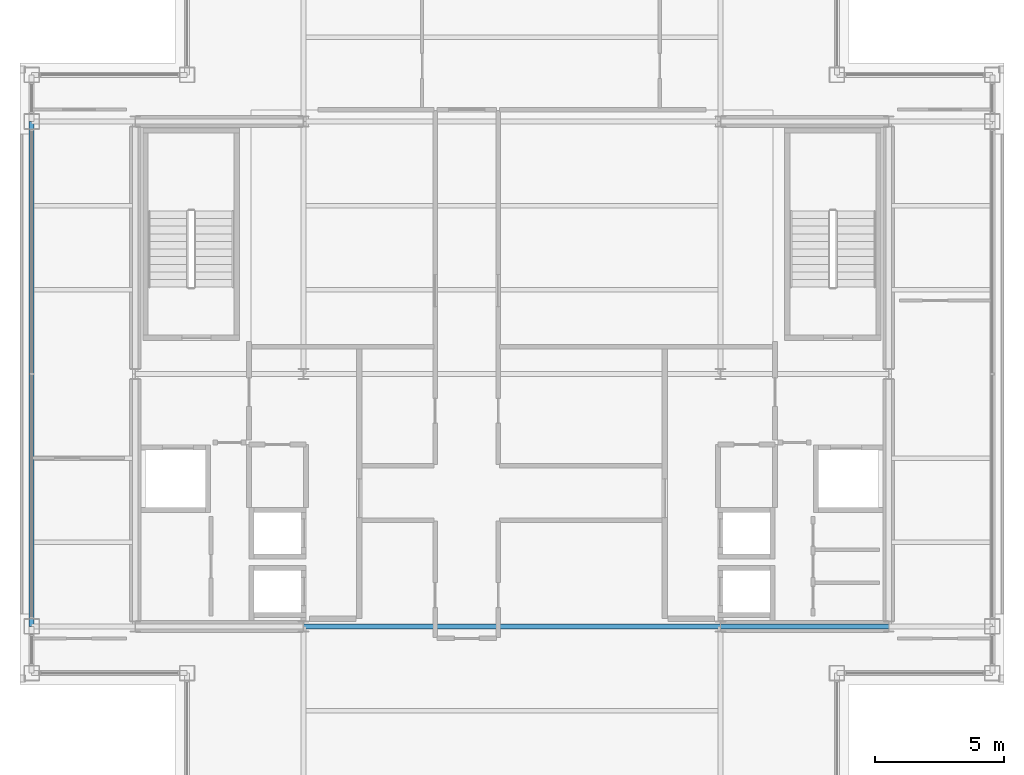
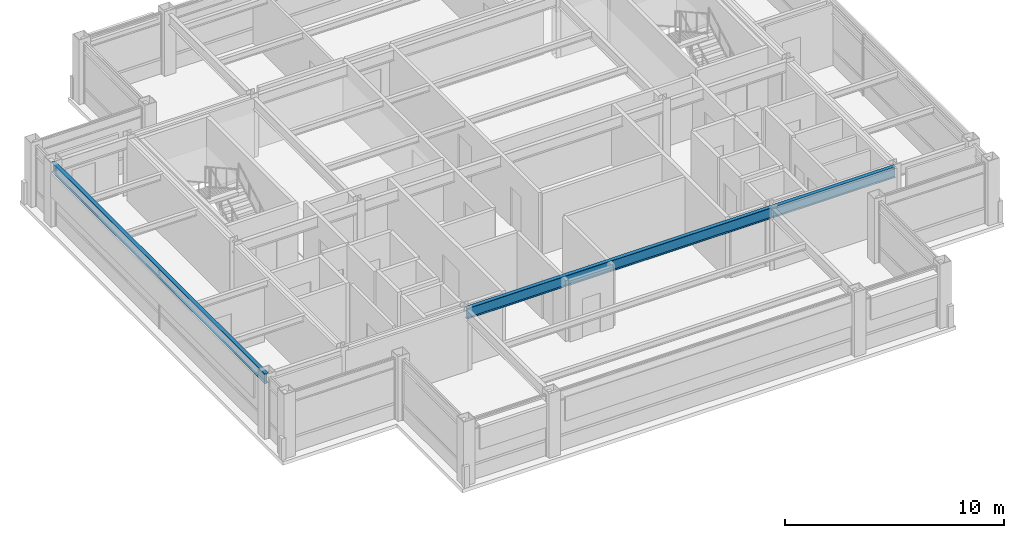
# One storey, part 5 of 22: 3 beams.
"""IFC4 building model written with IfcOpenShell, lengths in metres."""

import ifcopenshell
import ifcopenshell.guid

model = None  # the IFC model being written
_history = None  # IfcOwnerHistory: only IFC2X3 demands one
_inside = {}  # id of a spatial element -> (the spatial element, [elements in it])
_under = {}  # id of a project, library or spatial element -> (it, [spatial elements below it])
_declared = {}  # id of a project -> (the project, [libraries it declares])
_typed = {}  # id of a type object -> (the type object, [elements of that type])
_made_of = {}  # id of a material, layer set ... -> (it, [elements and type objects made of it])


def new_model(schema):
    """Start an empty IFC model of exactly this schema.

    Asked for "IFC4X3", IfcOpenShell would pick the latest addendum, in which some entities
    have other attributes; the version numbers below select the first issue.
    IFC2X3 requires an IfcOwnerHistory on every rooted entity: one is made here for all.
    """
    global model, _history
    if schema == "IFC4X3":
        model = ifcopenshell.file(schema_version=(4, 3, 0, 0))
    else:
        model = ifcopenshell.file(schema=schema)
    _inside.clear()
    _under.clear()
    _declared.clear()
    _typed.clear()
    _made_of.clear()
    _history = None
    if model.schema == "IFC2X3":
        org = make("IfcOrganization", Name="unknown")
        user = make(
            "IfcPersonAndOrganization",
            ThePerson=make("IfcPerson", FamilyName="unknown"),
            TheOrganization=org,
        )
        app = make(
            "IfcApplication",
            ApplicationDeveloper=org,
            Version="unknown",
            ApplicationFullName="unknown",
            ApplicationIdentifier="unknown",
        )
        _history = make(
            "IfcOwnerHistory",
            OwningUser=user,
            OwningApplication=app,
            ChangeAction="ADDED",
            CreationDate=0,
        )
    return model


def make(cls, **values):
    """One entity of the class cls with the attributes given. An attribute that is None is left unset."""
    return model.create_entity(
        cls, **{name: value for name, value in values.items() if value is not None}
    )


def rooted(cls, **values):
    """An entity with a GlobalId (a new one), such as an element, a storey or a relation."""
    return make(cls, GlobalId=ifcopenshell.guid.new(), OwnerHistory=_history, **values)


def si_unit(unit_type, name, prefix=None):
    """IfcSIUnit, for example si_unit("LENGTHUNIT", "METRE", prefix="MILLI")."""
    return make("IfcSIUnit", UnitType=unit_type, Prefix=prefix, Name=name)


def assignment(units):
    """IfcUnitAssignment: the units of a project."""
    return None if units is None else make("IfcUnitAssignment", Units=units)


def point(xyz):
    """IfcCartesianPoint."""
    return None if xyz is None else make("IfcCartesianPoint", Coordinates=xyz)


def direction(xyz):
    """IfcDirection."""
    return None if xyz is None else make("IfcDirection", DirectionRatios=xyz)


def frame(location, z_axis=None, x_axis=None):
    """IfcAxis2Placement3D, a coordinate frame: its origin and axes. An axis left out is left unset."""
    return make(
        "IfcAxis2Placement3D",
        Location=point(location),
        Axis=direction(z_axis),
        RefDirection=direction(x_axis),
    )


def frame_2d(location, x_axis=None):
    """IfcAxis2Placement2D, a coordinate frame in the plane: its origin and x axis."""
    return make(
        "IfcAxis2Placement2D", Location=point(location), RefDirection=direction(x_axis)
    )


def origin():
    """The frame at (0, 0, 0) with its axes left unset."""
    return frame((0.0, 0.0, 0.0))


def origin_2d():
    """The frame at (0, 0) in the plane with its x axis left unset."""
    return frame_2d((0.0, 0.0))


def place(relative_to, where):
    """IfcLocalPlacement: puts the frame where relative to a parent placement (None: the world)."""
    return make(
        "IfcLocalPlacement", PlacementRelTo=relative_to, RelativePlacement=where
    )


def context(
    kind, dimensions, precision=None, world=None, true_north=None, identifier=None
):
    """IfcGeometricRepresentationContext, for example the 3D "Model" context."""
    return make(
        "IfcGeometricRepresentationContext",
        ContextIdentifier=identifier,
        ContextType=kind,
        CoordinateSpaceDimension=dimensions,
        Precision=precision,
        WorldCoordinateSystem=world,
        TrueNorth=true_north,
    )


def subcontext(parent, identifier, kind, view, scale=None):
    """IfcGeometricRepresentationSubContext, for example "Body" below "Model"."""
    return make(
        "IfcGeometricRepresentationSubContext",
        ContextIdentifier=identifier,
        ContextType=kind,
        ParentContext=parent,
        TargetScale=scale,
        TargetView=view,
    )


def project(units=None, contexts=None):
    """IfcProject with its units and contexts."""
    return rooted(
        "IfcProject",
        Name="project",
        RepresentationContexts=contexts,
        UnitsInContext=assignment(units),
    )


def spatial(cls, under=None, at=None, **own):
    """A site, building, storey or space (cls), placed at a placement, below another one or the project."""
    s = rooted(cls, ObjectPlacement=at, **own)
    if under is not None:
        _under.setdefault(under.id(), (under, []))[1].append(s)
    return s


def profile(cls, at=None, kind="AREA", **sizes):
    """A parametric profile (cls). Its sizes go by their IFC names, for example OverallWidth=200.0."""
    return make(cls, ProfileType=kind, Position=at, **sizes)


def i_section(**sizes):
    """IfcIShapeProfileDef."""
    return profile("IfcIShapeProfileDef", **sizes)


def extrude(swept, where, along, depth):
    """IfcExtrudedAreaSolid: the profile swept, set in the frame where, extruded along a direction by depth."""
    return make(
        "IfcExtrudedAreaSolid",
        SweptArea=swept,
        Position=where,
        ExtrudedDirection=direction(along),
        Depth=depth,
    )


def shape(context_of_items, identifier, shape_type, items):
    """IfcShapeRepresentation: the items that make up one representation, for example the "Body"."""
    return make(
        "IfcShapeRepresentation",
        ContextOfItems=context_of_items,
        RepresentationIdentifier=identifier,
        RepresentationType=shape_type,
        Items=items,
    )


def material(Name=None, Category=None):
    """IfcMaterial."""
    return make("IfcMaterial", Name=Name, Category=Category)


def material_profile(
    of_material, cross_section, Name=None, Category=None, Priority=None
):
    """IfcMaterialProfile: a cross section and its material."""
    return make(
        "IfcMaterialProfile",
        Name=Name,
        Material=of_material,
        Profile=cross_section,
        Priority=Priority,
        Category=Category,
    )


def profile_set(profiles, Name=None, composite=None):
    """IfcMaterialProfileSet."""
    return make(
        "IfcMaterialProfileSet",
        Name=Name,
        MaterialProfiles=profiles,
        CompositeProfile=composite,
    )


def made_of(thing, what):
    """Note that an element or type object is made of a material, layer set ...; save() writes the relation."""
    if what is not None:
        _made_of.setdefault(what.id(), (what, []))[1].append(thing)
    return thing


def type_object(cls, material=None, **own):
    """A type object (cls), such as IfcWallType, which elements share."""
    return made_of(rooted(cls, **own), material)


def element(
    cls,
    number,
    at=None,
    inside=None,
    cuts=None,
    type_object=None,
    material=None,
    context=None,
    identifier="Body",
    shape_type=None,
    held_by="IfcProductDefinitionShape",
    body=None,
    shapes=None,
    **own,
):
    """One element of the class cls, such as IfcWall. Its Tag is "e" and its number.

    at: its placement. inside: the storey or other place that contains it. cuts: it is an
    opening in that element (IfcRelVoidsElement). A single representation is given by context,
    identifier, shape_type and body (its items); several are given by shapes. held_by: the class
    of the entity that holds the representations. save() writes the other relations.
    """
    e = rooted(cls, Tag="e%d" % number, ObjectPlacement=at, **own)
    if body is not None:
        shapes = [shape(context, identifier, shape_type, body)]
    if shapes is not None:
        e.Representation = make(held_by, Representations=shapes)
    if inside is not None:
        _inside.setdefault(inside.id(), (inside, []))[1].append(e)
    if cuts is not None:
        rooted(
            "IfcRelVoidsElement", RelatingBuildingElement=cuts, RelatedOpeningElement=e
        )
    if type_object is not None:
        _typed.setdefault(type_object.id(), (type_object, []))[1].append(e)
    return made_of(e, material)


def aggregate(whole, parts):
    """IfcRelAggregates: a whole, such as a stair, and the parts it consists of."""
    return rooted("IfcRelAggregates", RelatingObject=whole, RelatedObjects=parts)


def save(model, path):
    """Write the relations noted so far, then the file.

    IfcRelAggregates (storeys below a building ...), IfcRelContainedInSpatialStructure (elements
    in a storey), IfcRelDefinesByType, IfcRelAssociatesMaterial and IfcRelDeclares: one each for
    every whole, place, type object, material and project.
    """
    for whole, parts in _under.values():
        aggregate(whole, parts)
    for where, things in _inside.values():
        rooted(
            "IfcRelContainedInSpatialStructure",
            RelatedElements=things,
            RelatingStructure=where,
        )
    for kind, things in _typed.values():
        rooted("IfcRelDefinesByType", RelatedObjects=things, RelatingType=kind)
    for what, things in _made_of.values():
        rooted("IfcRelAssociatesMaterial", RelatedObjects=things, RelatingMaterial=what)
    for by, libraries in _declared.values():
        rooted("IfcRelDeclares", RelatingContext=by, RelatedDefinitions=libraries)
    model.write(path)


model = new_model("IFC4")

# Units and contexts
model_context = context("Model", 3, precision=1e-05, world=origin(), true_north=direction((0.0, 1.0)))
body_context = subcontext(model_context, "Body", "Model", "MODEL_VIEW")
ifc_project = project(units=[si_unit("LENGTHUNIT", "METRE"), si_unit("AREAUNIT", "SQUARE_METRE"), si_unit("VOLUMEUNIT", "CUBIC_METRE"), si_unit("PLANEANGLEUNIT", "RADIAN"), si_unit("MASSUNIT", "GRAM", prefix="KILO")], contexts=[model_context])

# Site, building, storey
site_placement = place(None, origin())
site = spatial("IfcSite", under=ifc_project, at=site_placement, CompositionType="ELEMENT")
building_placement = place(site_placement, origin())
building = spatial("IfcBuilding", under=site, at=building_placement, Name="Brelmoor Portico Tower", CompositionType="ELEMENT")
storey_placement = place(building_placement, frame((0.0, 0.0, 280.800048828125)))
storey = spatial("IfcBuildingStorey", under=building, at=storey_placement, Name="L74", CompositionType="ELEMENT", Elevation=280.800048828125)

# Beams
ifc_material = material(Name="Steel Q355B", Category="steel")
ifc_material_profile_1 = material_profile(ifc_material, i_section(OverallWidth=0.199951171875, OverallDepth=0.60009765625, WebThickness=0.010986328125, FlangeThickness=0.01708984375, at=origin_2d()), Name="HN 600x200x11x17")
ifc_profile_set_1 = profile_set([ifc_material_profile_1], Name="Steel Q355B")
beam_type_1 = type_object("IfcBeamType", Name="BM-PG-600", PredefinedType="BEAM", material=ifc_profile_set_1)
beam_1_placement = place(storey_placement, frame((-8.050048828125, -9.75, 3.099853515625), z_axis=(1.0, 0.0, 0.0), x_axis=(0.0, 1.0, 0.0)))
element("IfcBeam", 1, at=beam_1_placement, inside=storey, type_object=beam_type_1, Name="L74 Primary Floor Girder PG-13", PredefinedType="BEAM", context=body_context, shape_type="SweptSolid", body=[
    extrude(i_section(OverallWidth=0.199951171875, OverallDepth=0.60009765625, WebThickness=0.010986328125, FlangeThickness=0.01708984375, at=origin_2d()), origin(), (0.0, 0.0, 1.0), 16.10009765625),
])
beam_2_placement = place(storey_placement, frame((8.050048828125, -9.75, 3.099853515625), z_axis=(1.0, 0.0, 0.0), x_axis=(0.0, 1.0, 0.0)))
element("IfcBeam", 2, at=beam_2_placement, inside=storey, type_object=beam_type_1, Name="L74 Primary Floor Girder PG-14", PredefinedType="BEAM", context=body_context, shape_type="SweptSolid", body=[
    extrude(i_section(OverallWidth=0.199951171875, OverallDepth=0.60009765625, WebThickness=0.010986328125, FlangeThickness=0.01708984375, at=origin_2d()), origin(), (0.0, 0.0, 1.0), 6.5),
])
ifc_material_profile_2 = material_profile(ifc_material, i_section(OverallWidth=0.199951171875, OverallDepth=0.550048828125, WebThickness=0.010009765625, FlangeThickness=0.01611328125, at=origin_2d()), Name="HN 550x200x10x16")
ifc_profile_set_2 = profile_set([ifc_material_profile_2], Name="Steel Q355B")
beam_type_2 = type_object("IfcBeamType", Name="BM-SP-550", PredefinedType="SPANDREL", material=ifc_profile_set_2)
beam_3_placement = place(storey_placement, frame((-18.550048828125, -9.75, 3.125), z_axis=(0.0, 1.0, 0.0), x_axis=(-1.0, 0.0, 0.0)))
element("IfcBeam", 3, at=beam_3_placement, inside=storey, type_object=beam_type_2, Name="L74 Perimeter Spandrel Beam SP-12", PredefinedType="SPANDREL", context=body_context, shape_type="SweptSolid", body=[
    extrude(i_section(OverallWidth=0.199951171875, OverallDepth=0.550048828125, WebThickness=0.010009765625, FlangeThickness=0.01611328125, at=origin_2d()), origin(), (0.0, 0.0, 1.0), 19.5),
])

save(model, "model.ifc")
